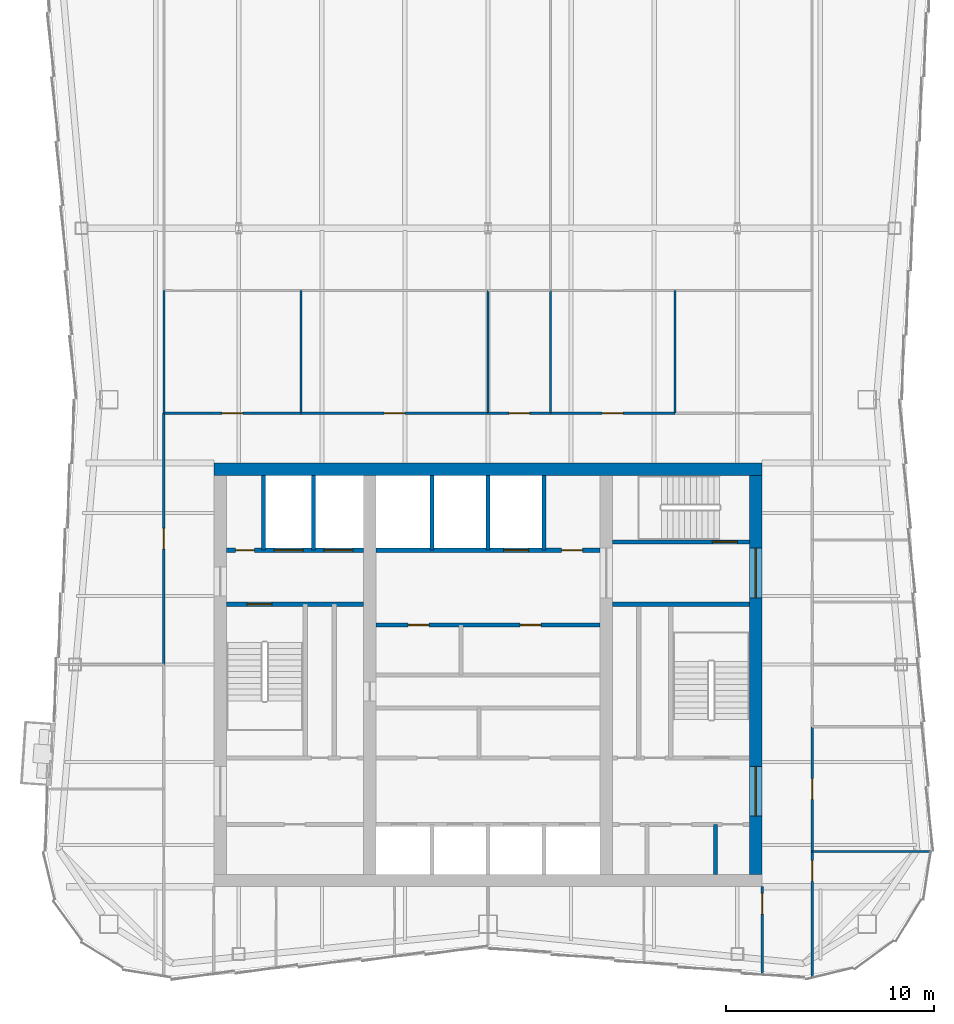
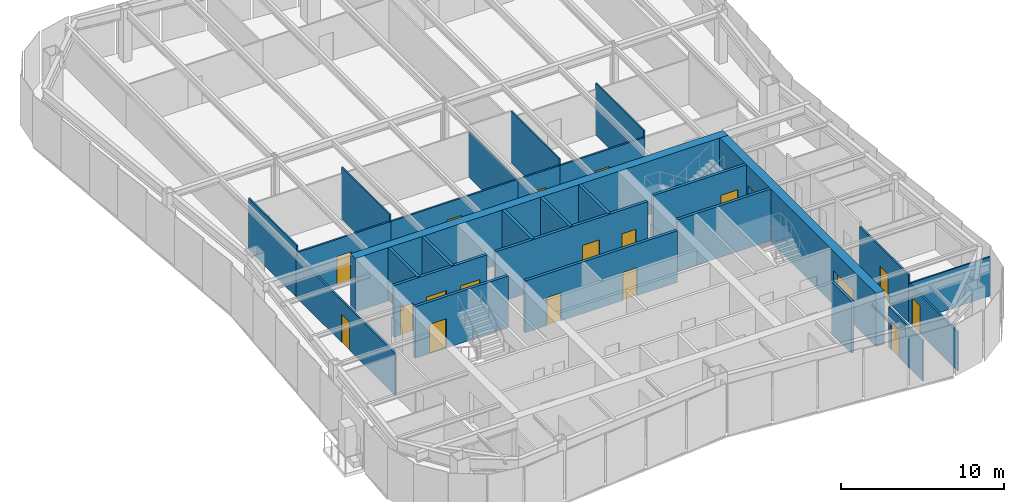
# One storey, part 7 of 10: 28 walls, 19 doors, 19 openings.
"""IFC4 building model written with IfcOpenShell, lengths in metres."""

from ifc_helpers import new_model, si_unit, direction, frame, frame_2d, origin, place, context, subcontext, project, spatial, rectangle, extrude, material, layer, layer_set, type_object, element, fill, save


model = new_model("IFC4")

# Units and contexts
model_context = context("Model", 3, precision=1e-05, world=origin(), true_north=direction((0.0, 1.0)))
body_context = subcontext(model_context, "Body", "Model", "MODEL_VIEW")
ifc_project = project(units=[si_unit("LENGTHUNIT", "METRE"), si_unit("AREAUNIT", "SQUARE_METRE"), si_unit("VOLUMEUNIT", "CUBIC_METRE"), si_unit("PLANEANGLEUNIT", "RADIAN"), si_unit("MASSUNIT", "GRAM", prefix="KILO")], contexts=[model_context])

# Site, building, storey
site_placement = place(None, origin())
site = spatial("IfcSite", under=ifc_project, at=site_placement, CompositionType="ELEMENT")
building_placement = place(site_placement, origin())
building = spatial("IfcBuilding", under=site, at=building_placement, Name="Verdant Reach Tower", CompositionType="ELEMENT")
storey_placement = place(building_placement, frame((0.0, 0.0, 326.0)))
storey = spatial("IfcBuildingStorey", under=building, at=storey_placement, Name="L75", CompositionType="ELEMENT", Elevation=326.0)

# Wall, openings, doors
ifc_material_1 = material(Name="Gypsum board on steel studs", Category="steel")
ifc_layer_1 = layer(ifc_material_1, 0.199951171875)
ifc_layer_set_1 = layer_set([ifc_layer_1], Name="CO-WALL-ROOM")
wall_type_1 = type_object("IfcWallType", Name="CO-WALL-ROOM", PredefinedType="PARTITIONING", material=ifc_layer_set_1)
wall_1_placement = place(storey_placement, frame((-5.39990234375, 30.39990234375, 0.0), z_axis=(0.0, 0.0, 1.0), x_axis=(1.0, 0.0, 0.0)))
wall_1 = element("IfcWall", 1, at=wall_1_placement, inside=storey, type_object=wall_type_1, Name="Core partition, L75", PredefinedType="PARTITIONING", context=body_context, shape_type="SweptSolid", body=[
    extrude(rectangle(XDim=10.7998046875, YDim=0.199951171875, at=frame_2d((5.39990234375, 0.0))), origin(), (0.0, 0.0, 1.0), 3.8701171875),
])
opening_1_placement = place(wall_1_placement, frame((1.552001953125, 0.0, 0.0)))
opening_1 = element("IfcOpeningElement", 2, at=opening_1_placement, cuts=wall_1, Name="Opening CD", PredefinedType="OPENING", context=body_context, shape_type="SweptSolid", body=[
    extrude(rectangle(XDim=1.0, YDim=2.10009765625, at=frame_2d((0.5, 1.050048828125))), frame((0.0, 0.10986328125, 0.0), z_axis=(0.0, -1.0, 0.0), x_axis=(1.0, 0.0, 0.0)), (0.0, 0.0, 1.0), 0.219970703125),
])
opening_2_placement = place(wall_1_placement, frame((6.951904296875, 0.0, 0.0)))
opening_2 = element("IfcOpeningElement", 3, at=opening_2_placement, cuts=wall_1, Name="Opening CD", PredefinedType="OPENING", context=body_context, shape_type="SweptSolid", body=[
    extrude(rectangle(XDim=1.0, YDim=2.10009765625, at=frame_2d((0.5, 1.050048828125))), frame((0.0, 0.10986328125, 0.0), z_axis=(0.0, -1.0, 0.0), x_axis=(1.0, 0.0, 0.0)), (0.0, 0.0, 1.0), 0.219970703125),
])
ifc_material_2 = material(Name="Timber", Category="wood")
door_type_1 = type_object("IfcDoorType", Name="CO-DOOR-ROOM", OperationType="NOTDEFINED", PredefinedType="DOOR", material=ifc_material_2)
door_1_placement = place(opening_1_placement, origin())
door_1 = element("IfcDoor", 4, at=door_1_placement, inside=storey, type_object=door_type_1, Name="Core room door, L75", OperationType="SINGLE_SWING_LEFT", OverallHeight=2.10009765625, OverallWidth=1.0, PredefinedType="DOOR", context=body_context, shape_type="SweptSolid", body=[
    extrude(rectangle(XDim=1.0, YDim=2.10009765625, at=frame_2d((0.5, 1.050048828125))), frame((0.0, 0.02490234375, 0.0), z_axis=(0.0, -1.0, 0.0), x_axis=(1.0, 0.0, 0.0)), (0.0, 0.0, 1.0), 0.050048828125),
])
fill(opening_1, door_1)
door_2_placement = place(opening_2_placement, origin())
door_2 = element("IfcDoor", 5, at=door_2_placement, inside=storey, type_object=door_type_1, Name="Core room door, L75", OperationType="SINGLE_SWING_RIGHT", OverallHeight=2.10009765625, OverallWidth=1.0, PredefinedType="DOOR", context=body_context, shape_type="SweptSolid", body=[
    extrude(rectangle(XDim=1.0, YDim=2.10009765625, at=frame_2d((0.5, 1.050048828125))), frame((0.0, 0.02490234375, 0.0), z_axis=(0.0, -1.0, 0.0), x_axis=(1.0, 0.0, 0.0)), (0.0, 0.0, 1.0), 0.050048828125),
])
fill(opening_2, door_2)

# Wall
wall_2_placement = place(storey_placement, frame((10.949951171875, 18.39990234375, 0.0), z_axis=(0.0, 0.0, 1.0), x_axis=(0.0, 1.0, 0.0)))
element("IfcWall", 6, at=wall_2_placement, inside=storey, type_object=wall_type_1, Name="Core partition, L75", PredefinedType="PARTITIONING", context=body_context, shape_type="SweptSolid", body=[
    extrude(rectangle(XDim=2.400146484375, YDim=0.199951171875, at=frame_2d((1.2001953125, 0.0))), origin(), (0.0, 0.0, 1.0), 3.8701171875),
])

# Wall, openings, doors
ifc_material_3 = material(Name="Concrete C40/50", Category="concrete")
ifc_layer_2 = layer(ifc_material_3, 0.199951171875)
ifc_layer_set_2 = layer_set([ifc_layer_2], Name="CO-WALL-SHAFT")
wall_type_2 = type_object("IfcWallType", Name="CO-WALL-SHAFT", PredefinedType="PARTITIONING", material=ifc_layer_set_2)
wall_3_placement = place(storey_placement, frame((-12.60009765625, 34.0, 0.0), z_axis=(0.0, 0.0, 1.0), x_axis=(1.0, 0.0, 0.0)))
wall_3 = element("IfcWall", 7, at=wall_3_placement, inside=storey, type_object=wall_type_2, Name="Lift shaft wall, L75", PredefinedType="PARTITIONING", context=body_context, shape_type="SweptSolid", body=[
    extrude(rectangle(XDim=6.60009765625, YDim=0.199951171875, at=frame_2d((3.300048828125, 0.0))), origin(), (0.0, 0.0, 1.0), 3.8701171875),
])
opening_3_placement = place(wall_3_placement, frame((4.699951171875, 0.0, 0.0)))
opening_3 = element("IfcOpeningElement", 8, at=opening_3_placement, cuts=wall_3, Name="Opening LD-F1", PredefinedType="OPENING", context=body_context, shape_type="SweptSolid", body=[
    extrude(rectangle(XDim=1.39990234375, YDim=2.199951171875, at=frame_2d((0.699951171875, 1.10009765625))), frame((0.0, 0.10986328125, 0.0), z_axis=(0.0, -1.0, 0.0), x_axis=(1.0, 0.0, 0.0)), (0.0, 0.0, 1.0), 0.219970703125),
])
opening_4_placement = place(wall_3_placement, frame((2.300048828125, 0.0, 0.0)))
opening_4 = element("IfcOpeningElement", 9, at=opening_4_placement, cuts=wall_3, Name="Opening LD-F2", PredefinedType="OPENING", context=body_context, shape_type="SweptSolid", body=[
    extrude(rectangle(XDim=1.39990234375, YDim=2.199951171875, at=frame_2d((0.699951171875, 1.10009765625))), frame((0.0, 0.10986328125, 0.0), z_axis=(0.0, -1.0, 0.0), x_axis=(1.0, 0.0, 0.0)), (0.0, 0.0, 1.0), 0.219970703125),
])
opening_5_placement = place(wall_3_placement, frame((0.449951171875, 0.0, 0.0)))
opening_5 = element("IfcOpeningElement", 10, at=opening_5_placement, cuts=wall_3, Name="Opening RD", PredefinedType="OPENING", context=body_context, shape_type="SweptSolid", body=[
    extrude(rectangle(XDim=0.89990234375, YDim=2.10009765625, at=frame_2d((0.449951171875, 1.050048828125))), frame((0.0, 0.10986328125, 0.0), z_axis=(0.0, -1.0, 0.0), x_axis=(1.0, 0.0, 0.0)), (0.0, 0.0, 1.0), 0.219970703125),
])
ifc_material_4 = material(Name="Stainless steel", Category="steel")
door_type_2 = type_object("IfcDoorType", Name="CO-DOOR-LANDING-FF", OperationType="SLIDING_TO_LEFT", PredefinedType="DOOR", material=ifc_material_4)
door_3_placement = place(opening_3_placement, origin())
door_3 = element("IfcDoor", 11, at=door_3_placement, inside=storey, type_object=door_type_2, Name="Landing door F1, L75", OperationType="SLIDING_TO_LEFT", OverallHeight=2.199951171875, OverallWidth=1.39990234375, PredefinedType="DOOR", context=body_context, shape_type="SweptSolid", body=[
    extrude(rectangle(XDim=1.39990234375, YDim=2.199951171875, at=frame_2d((0.699951171875, 1.10009765625))), frame((0.0, 0.02490234375, 0.0), z_axis=(0.0, -1.0, 0.0), x_axis=(1.0, 0.0, 0.0)), (0.0, 0.0, 1.0), 0.050048828125),
])
fill(opening_3, door_3)
door_4_placement = place(opening_4_placement, origin())
door_4 = element("IfcDoor", 12, at=door_4_placement, inside=storey, type_object=door_type_2, Name="Landing door F2, L75", OperationType="SLIDING_TO_LEFT", OverallHeight=2.199951171875, OverallWidth=1.39990234375, PredefinedType="DOOR", context=body_context, shape_type="SweptSolid", body=[
    extrude(rectangle(XDim=1.39990234375, YDim=2.199951171875, at=frame_2d((0.699951171875, 1.10009765625))), frame((0.0, 0.02490234375, 0.0), z_axis=(0.0, -1.0, 0.0), x_axis=(1.0, 0.0, 0.0)), (0.0, 0.0, 1.0), 0.050048828125),
])
fill(opening_4, door_4)
ifc_material_5 = material(Name="Steel", Category="steel")
door_type_3 = type_object("IfcDoorType", Name="CO-DOOR-RISER", OperationType="NOTDEFINED", PredefinedType="DOOR", material=ifc_material_5)
door_5_placement = place(opening_5_placement, origin())
door_5 = element("IfcDoor", 13, at=door_5_placement, inside=storey, type_object=door_type_3, Name="Core room door, L75", OperationType="SINGLE_SWING_RIGHT", OverallHeight=2.10009765625, OverallWidth=0.89990234375, PredefinedType="DOOR", context=body_context, shape_type="SweptSolid", body=[
    extrude(rectangle(XDim=0.89990234375, YDim=2.10009765625, at=frame_2d((0.449951171875, 1.050048828125))), frame((0.0, 0.02490234375, 0.0), z_axis=(0.0, -1.0, 0.0), x_axis=(1.0, 0.0, 0.0)), (0.0, 0.0, 1.0), 0.050048828125),
])
fill(opening_5, door_5)

wall_4_placement = place(storey_placement, frame((-5.39990234375, 34.0, 0.0), z_axis=(0.0, 0.0, 1.0), x_axis=(1.0, 0.0, 0.0)))
wall_4 = element("IfcWall", 14, at=wall_4_placement, inside=storey, type_object=wall_type_2, Name="Lift shaft wall, L75", PredefinedType="PARTITIONING", context=body_context, shape_type="SweptSolid", body=[
    extrude(rectangle(XDim=10.7998046875, YDim=0.199951171875, at=frame_2d((5.39990234375, 0.0))), origin(), (0.0, 0.0, 1.0), 3.8701171875),
])
opening_6_placement = place(wall_4_placement, frame((6.14990234375, 0.0, 0.0)))
opening_6 = element("IfcOpeningElement", 15, at=opening_6_placement, cuts=wall_4, Name="Opening LD-SL1", PredefinedType="OPENING", context=body_context, shape_type="SweptSolid", body=[
    extrude(rectangle(XDim=1.199951171875, YDim=2.199951171875, at=frame_2d((0.60009765625, 1.10009765625))), frame((0.0, 0.10986328125, 0.0), z_axis=(0.0, -1.0, 0.0), x_axis=(1.0, 0.0, 0.0)), (0.0, 0.0, 1.0), 0.219970703125),
])
opening_7_placement = place(wall_4_placement, frame((8.949951171875, 0.0, 0.0)))
opening_7 = element("IfcOpeningElement", 16, at=opening_7_placement, cuts=wall_4, Name="Opening CD", PredefinedType="OPENING", context=body_context, shape_type="SweptSolid", body=[
    extrude(rectangle(XDim=1.0, YDim=2.10009765625, at=frame_2d((0.5, 1.050048828125))), frame((0.0, 0.10986328125, 0.0), z_axis=(0.0, -1.0, 0.0), x_axis=(1.0, 0.0, 0.0)), (0.0, 0.0, 1.0), 0.219970703125),
])
door_type_4 = type_object("IfcDoorType", Name="CO-DOOR-LANDING", OperationType="SLIDING_TO_LEFT", PredefinedType="DOOR", material=ifc_material_4)
door_6_placement = place(opening_6_placement, origin())
door_6 = element("IfcDoor", 17, at=door_6_placement, inside=storey, type_object=door_type_4, Name="Landing door SL1, L75", OperationType="SLIDING_TO_LEFT", OverallHeight=2.199951171875, OverallWidth=1.199951171875, PredefinedType="DOOR", context=body_context, shape_type="SweptSolid", body=[
    extrude(rectangle(XDim=1.199951171875, YDim=2.199951171875, at=frame_2d((0.60009765625, 1.10009765625))), frame((0.0, 0.02490234375, 0.0), z_axis=(0.0, -1.0, 0.0), x_axis=(1.0, 0.0, 0.0)), (0.0, 0.0, 1.0), 0.050048828125),
])
fill(opening_6, door_6)
door_7_placement = place(opening_7_placement, origin())
door_7 = element("IfcDoor", 18, at=door_7_placement, inside=storey, type_object=door_type_1, Name="Core room door, L75", OperationType="SINGLE_SWING_LEFT", OverallHeight=2.10009765625, OverallWidth=1.0, PredefinedType="DOOR", context=body_context, shape_type="SweptSolid", body=[
    extrude(rectangle(XDim=1.0, YDim=2.10009765625, at=frame_2d((0.5, 1.050048828125))), frame((0.0, 0.02490234375, 0.0), z_axis=(0.0, -1.0, 0.0), x_axis=(1.0, 0.0, 0.0)), (0.0, 0.0, 1.0), 0.050048828125),
])
fill(opening_7, door_7)

# Walls
for number, where, z_axis, x_axis, name in (
    (19, (-10.800048828125, 34.0, 0.0), (0.0, 0.0, 1.0), (0.0, 1.0, 0.0), "Lift shaft wall, L75"),
    (20, (-8.39990234375, 34.0, 0.0), (0.0, 0.0, 1.0), (0.0, 1.0, 0.0), "Lift shaft wall, L75"),
    (21, (-2.699951171875, 34.0, 0.0), (0.0, 0.0, 1.0), (0.0, 1.0, 0.0), "Lift shaft wall, L75"),
    (22, (0.0, 34.0, 0.0), (0.0, 0.0, 1.0), (0.0, 1.0, 0.0), "Lift shaft wall, L75"),
    (23, (2.699951171875, 34.0, 0.0), (0.0, 0.0, 1.0), (0.0, 1.0, 0.0), "Lift shaft wall, L75"),
):
    element("IfcWall", number, at=place(storey_placement, frame(where, z_axis=z_axis, x_axis=x_axis)), inside=storey, type_object=wall_type_2, Name=name, PredefinedType="PARTITIONING", context=body_context, shape_type="SweptSolid", body=[
        extrude(rectangle(XDim=3.60009765625, YDim=0.199951171875, at=frame_2d((1.800048828125, 0.0))), origin(), (0.0, 0.0, 1.0), 3.8701171875),
    ])

# Wall, opening, door
ifc_layer_3 = layer(ifc_material_3, 0.199951171875)
ifc_layer_set_3 = layer_set([ifc_layer_3], Name="CO-WALL-STAIR")
wall_type_3 = type_object("IfcWallType", Name="CO-WALL-STAIR", PredefinedType="PARTITIONING", material=ifc_layer_set_3)
wall_5_placement = place(storey_placement, frame((-12.60009765625, 31.39990234375, 0.0), z_axis=(0.0, 0.0, 1.0), x_axis=(1.0, 0.0, 0.0)))
wall_5 = element("IfcWall", 24, at=wall_5_placement, inside=storey, type_object=wall_type_3, Name="Stair enclosure wall, L75", PredefinedType="PARTITIONING", context=body_context, shape_type="SweptSolid", body=[
    extrude(rectangle(XDim=6.60009765625, YDim=0.199951171875, at=frame_2d((3.300048828125, 0.0))), origin(), (0.0, 0.0, 1.0), 3.8701171875),
])
opening_8_placement = place(wall_5_placement, frame((1.0, 0.0, 0.0)))
opening_8 = element("IfcOpeningElement", 25, at=opening_8_placement, cuts=wall_5, Name="Opening SD", PredefinedType="OPENING", context=body_context, shape_type="SweptSolid", body=[
    extrude(rectangle(XDim=1.199951171875, YDim=2.199951171875, at=frame_2d((0.60009765625, 1.10009765625))), frame((0.0, 0.10986328125, 0.0), z_axis=(0.0, -1.0, 0.0), x_axis=(1.0, 0.0, 0.0)), (0.0, 0.0, 1.0), 0.219970703125),
])
door_type_5 = type_object("IfcDoorType", Name="CO-DOOR-STAIR", OperationType="NOTDEFINED", PredefinedType="DOOR", material=ifc_material_5)
door_8_placement = place(opening_8_placement, origin())
door_8 = element("IfcDoor", 26, at=door_8_placement, inside=storey, type_object=door_type_5, Name="Stair door, L75", OperationType="SINGLE_SWING_RIGHT", OverallHeight=2.199951171875, OverallWidth=1.199951171875, PredefinedType="DOOR", context=body_context, shape_type="SweptSolid", body=[
    extrude(rectangle(XDim=1.199951171875, YDim=2.199951171875, at=frame_2d((0.60009765625, 1.10009765625))), frame((0.0, 0.02490234375, 0.0), z_axis=(0.0, -1.0, 0.0), x_axis=(1.0, 0.0, 0.0)), (0.0, 0.0, 1.0), 0.050048828125),
])
fill(opening_8, door_8)

# Wall
wall_6_placement = place(storey_placement, frame((6.0, 31.39990234375, 0.0), z_axis=(0.0, 0.0, 1.0), x_axis=(1.0, 0.0, 0.0)))
element("IfcWall", 27, at=wall_6_placement, inside=storey, type_object=wall_type_3, Name="Stair enclosure wall, L75", PredefinedType="PARTITIONING", context=body_context, shape_type="SweptSolid", body=[
    extrude(rectangle(XDim=6.60009765625, YDim=0.199951171875, at=frame_2d((3.300048828125, 0.0))), origin(), (0.0, 0.0, 1.0), 3.8701171875),
])

# Wall, opening, door
wall_7_placement = place(storey_placement, frame((6.0, 34.39990234375, 0.0), z_axis=(0.0, 0.0, 1.0), x_axis=(1.0, 0.0, 0.0)))
wall_7 = element("IfcWall", 28, at=wall_7_placement, inside=storey, type_object=wall_type_3, Name="Stair enclosure wall, L75", PredefinedType="PARTITIONING", context=body_context, shape_type="SweptSolid", body=[
    extrude(rectangle(XDim=6.60009765625, YDim=0.199951171875, at=frame_2d((3.300048828125, 0.0))), origin(), (0.0, 0.0, 1.0), 3.8701171875),
])
opening_9_placement = place(wall_7_placement, frame((4.800048828125, 0.0, 0.0)))
opening_9 = element("IfcOpeningElement", 29, at=opening_9_placement, cuts=wall_7, Name="Opening SD", PredefinedType="OPENING", context=body_context, shape_type="SweptSolid", body=[
    extrude(rectangle(XDim=1.199951171875, YDim=2.199951171875, at=frame_2d((0.60009765625, 1.10009765625))), frame((0.0, 0.10986328125, 0.0), z_axis=(0.0, -1.0, 0.0), x_axis=(1.0, 0.0, 0.0)), (0.0, 0.0, 1.0), 0.219970703125),
])
door_9_placement = place(opening_9_placement, origin())
door_9 = element("IfcDoor", 30, at=door_9_placement, inside=storey, type_object=door_type_5, Name="Stair door, L75", OperationType="SINGLE_SWING_RIGHT", OverallHeight=2.199951171875, OverallWidth=1.199951171875, PredefinedType="DOOR", context=body_context, shape_type="SweptSolid", body=[
    extrude(rectangle(XDim=1.199951171875, YDim=2.199951171875, at=frame_2d((0.60009765625, 1.10009765625))), frame((0.0, 0.02490234375, 0.0), z_axis=(0.0, -1.0, 0.0), x_axis=(1.0, 0.0, 0.0)), (0.0, 0.0, 1.0), 0.050048828125),
])
fill(opening_9, door_9)

# Walls
ifc_layer_4 = layer(ifc_material_1, 0.10009765625)
ifc_layer_set_4 = layer_set([ifc_layer_4], Name="FL-W1 Partition 100")
wall_type_4 = type_object("IfcWallType", Name="FL-W1 Partition 100", PredefinedType="PARTITIONING", material=ifc_layer_set_4)
wall_8_placement = place(storey_placement, frame((-15.60009765625, 40.60009765625, 0.0), z_axis=(0.0, 0.0, 1.0), x_axis=(0.0, 1.0, 0.0)))
element("IfcWall", 31, at=wall_8_placement, inside=storey, type_object=wall_type_4, Name="Partition 75.19", PredefinedType="PARTITIONING", context=body_context, shape_type="SweptSolid", body=[
    extrude(rectangle(XDim=5.89990234375, YDim=0.10009765625, at=frame_2d((2.949951171875, 0.0))), origin(), (0.0, 0.0, 1.0), 3.8701171875),
])
wall_9_placement = place(storey_placement, frame((21.330078125, 19.5, 0.0), z_axis=(0.0, 0.0, 1.0), x_axis=(-1.0, 0.0, 0.0)))
element("IfcWall", 32, at=wall_9_placement, inside=storey, type_object=wall_type_4, Name="Partition 75.22", PredefinedType="PARTITIONING", context=body_context, shape_type="SweptSolid", body=[
    extrude(rectangle(XDim=5.72998046875, YDim=0.10009765625, at=frame_2d((2.864990234375, 0.0))), origin(), (0.0, 0.0, 1.0), 2.929931640625),
])
wall_10_placement = place(storey_placement, frame((-9.0, 40.60009765625, 0.0), z_axis=(0.0, 0.0, 1.0), x_axis=(0.0, 1.0, 0.0)))
element("IfcWall", 33, at=wall_10_placement, inside=storey, type_object=wall_type_4, Name="Partition 75.34", PredefinedType="PARTITIONING", context=body_context, shape_type="SweptSolid", body=[
    extrude(rectangle(XDim=5.89990234375, YDim=0.10009765625, at=frame_2d((2.949951171875, 0.0))), origin(), (0.0, 0.0, 1.0), 3.8701171875),
])
wall_11_placement = place(storey_placement, frame((0.0, 40.60009765625, 0.0), z_axis=(0.0, 0.0, 1.0), x_axis=(0.0, 1.0, 0.0)))
element("IfcWall", 34, at=wall_11_placement, inside=storey, type_object=wall_type_4, Name="Partition 75.36", PredefinedType="PARTITIONING", context=body_context, shape_type="SweptSolid", body=[
    extrude(rectangle(XDim=5.89990234375, YDim=0.10009765625, at=frame_2d((2.949951171875, 0.0))), origin(), (0.0, 0.0, 1.0), 3.389892578125),
])
for number, where, z_axis, x_axis, name in (
    (35, (3.0, 40.60009765625, 0.0), (0.0, 0.0, 1.0), (0.0, 1.0, 0.0), "Partition 75.39"),
    (36, (9.0, 40.60009765625, 0.0), (0.0, 0.0, 1.0), (0.0, 1.0, 0.0), "Partition 75.45"),
):
    element("IfcWall", number, at=place(storey_placement, frame(where, z_axis=z_axis, x_axis=x_axis)), inside=storey, type_object=wall_type_4, Name=name, PredefinedType="PARTITIONING", context=body_context, shape_type="SweptSolid", body=[
        extrude(rectangle(XDim=5.89990234375, YDim=0.10009765625, at=frame_2d((2.949951171875, 0.0))), origin(), (0.0, 0.0, 1.0), 3.8701171875),
    ])

# Wall, opening, door
ifc_material_6 = material(Name="Gypsum board on steel studs, fire rated", Category="steel")
ifc_layer_5 = layer(ifc_material_6, 0.125)
ifc_layer_set_5 = layer_set([ifc_layer_5], Name="FL-W2 Corridor wall 125")
wall_type_5 = type_object("IfcWallType", Name="FL-W2 Corridor wall 125", PredefinedType="PARTITIONING", material=ifc_layer_set_5)
wall_12_placement = place(storey_placement, frame((-15.60009765625, 28.5, 0.0), z_axis=(0.0, 0.0, 1.0), x_axis=(0.0, 1.0, 0.0)))
wall_12 = element("IfcWall", 37, at=wall_12_placement, inside=storey, type_object=wall_type_5, Name="Partition 75.03", PredefinedType="PARTITIONING", context=body_context, shape_type="SweptSolid", body=[
    extrude(rectangle(XDim=12.10400390625, YDim=0.125, at=frame_2d((6.052001953125, 0.0))), origin(), (0.0, 0.0, 1.0), 3.139892578125),
])
opening_10_placement = place(wall_12_placement, frame((5.552001953125, 0.0, 0.0)))
opening_10 = element("IfcOpeningElement", 38, at=opening_10_placement, cuts=wall_12, Name="Opening D2", PredefinedType="OPENING", context=body_context, shape_type="SweptSolid", body=[
    extrude(rectangle(XDim=1.0, YDim=2.10009765625, at=frame_2d((0.5, 1.050048828125))), frame((0.0, 0.072509765625, 0.0), z_axis=(0.0, -1.0, 0.0), x_axis=(1.0, 0.0, 0.0)), (0.0, 0.0, 1.0), 0.14501953125),
])
ifc_material_7 = material(Name="Timber door leaf, fire rated", Category="wood")
door_type_6 = type_object("IfcDoorType", Name="FL-D2 Entrance door 1000x2100 FD30", OperationType="NOTDEFINED", PredefinedType="DOOR", material=ifc_material_7)
door_10_placement = place(opening_10_placement, origin())
door_10 = element("IfcDoor", 39, at=door_10_placement, inside=storey, type_object=door_type_6, Name="Door 75-003", OperationType="SINGLE_SWING_LEFT", OverallHeight=2.10009765625, OverallWidth=1.0, PredefinedType="DOOR", context=body_context, shape_type="SweptSolid", body=[
    extrude(rectangle(XDim=1.0, YDim=2.10009765625, at=frame_2d((0.5, 1.050048828125))), frame((0.0, 0.02490234375, 0.0), z_axis=(0.0, -1.0, 0.0), x_axis=(1.0, 0.0, 0.0)), (0.0, 0.0, 1.0), 0.050048828125),
])
fill(opening_10, door_10)

wall_13_placement = place(storey_placement, frame((15.60009765625, 19.5, 0.0), z_axis=(0.0, 0.0, 1.0), x_axis=(0.0, -1.0, 0.0)))
wall_13 = element("IfcWall", 40, at=wall_13_placement, inside=storey, type_object=wall_type_5, Name="Partition 75.04", PredefinedType="PARTITIONING", context=body_context, shape_type="SweptSolid", body=[
    extrude(rectangle(XDim=6.010498046875, YDim=0.125, at=frame_2d((3.00537109375, 0.0))), origin(), (0.0, 0.0, 1.0), 2.929931640625),
])
opening_11_placement = place(wall_13_placement, frame((0.439697265625, 0.0, 0.0)))
opening_11 = element("IfcOpeningElement", 41, at=opening_11_placement, cuts=wall_13, Name="Opening D2", PredefinedType="OPENING", context=body_context, shape_type="SweptSolid", body=[
    extrude(rectangle(XDim=1.0, YDim=2.10009765625, at=frame_2d((0.5, 1.050048828125))), frame((0.0, 0.072509765625, 0.0), z_axis=(0.0, -1.0, 0.0), x_axis=(1.0, 0.0, 0.0)), (0.0, 0.0, 1.0), 0.14501953125),
])
door_11_placement = place(opening_11_placement, origin())
door_11 = element("IfcDoor", 42, at=door_11_placement, inside=storey, type_object=door_type_6, Name="Door 75-004", OperationType="SINGLE_SWING_LEFT", OverallHeight=2.10009765625, OverallWidth=1.0, PredefinedType="DOOR", context=body_context, shape_type="SweptSolid", body=[
    extrude(rectangle(XDim=1.0, YDim=2.10009765625, at=frame_2d((0.5, 1.050048828125))), frame((0.0, 0.02490234375, 0.0), z_axis=(0.0, -1.0, 0.0), x_axis=(1.0, 0.0, 0.0)), (0.0, 0.0, 1.0), 0.050048828125),
])
fill(opening_11, door_11)

wall_14_placement = place(storey_placement, frame((15.60009765625, 25.5, 0.0), z_axis=(0.0, 0.0, 1.0), x_axis=(0.0, -1.0, 0.0)))
wall_14 = element("IfcWall", 43, at=wall_14_placement, inside=storey, type_object=wall_type_5, Name="Partition 75.05", PredefinedType="PARTITIONING", context=body_context, shape_type="SweptSolid", body=[
    extrude(rectangle(XDim=6.0, YDim=0.125, at=frame_2d((3.0, 0.0))), origin(), (0.0, 0.0, 1.0), 3.5400390625),
])
opening_12_placement = place(wall_14_placement, frame((2.5, 0.0, 0.0)))
opening_12 = element("IfcOpeningElement", 44, at=opening_12_placement, cuts=wall_14, Name="Opening D2", PredefinedType="OPENING", context=body_context, shape_type="SweptSolid", body=[
    extrude(rectangle(XDim=1.0, YDim=2.10009765625, at=frame_2d((0.5, 1.050048828125))), frame((0.0, 0.072509765625, 0.0), z_axis=(0.0, -1.0, 0.0), x_axis=(1.0, 0.0, 0.0)), (0.0, 0.0, 1.0), 0.14501953125),
])
door_12_placement = place(opening_12_placement, origin())
door_12 = element("IfcDoor", 45, at=door_12_placement, inside=storey, type_object=door_type_6, Name="Door 75-005", OperationType="SINGLE_SWING_LEFT", OverallHeight=2.10009765625, OverallWidth=1.0, PredefinedType="DOOR", context=body_context, shape_type="SweptSolid", body=[
    extrude(rectangle(XDim=1.0, YDim=2.10009765625, at=frame_2d((0.5, 1.050048828125))), frame((0.0, 0.02490234375, 0.0), z_axis=(0.0, -1.0, 0.0), x_axis=(1.0, 0.0, 0.0)), (0.0, 0.0, 1.0), 0.050048828125),
])
fill(opening_12, door_12)

wall_15_placement = place(storey_placement, frame((13.199951171875, 13.62158203125, 0.0), z_axis=(0.0, 0.0, 1.0), x_axis=(0.0, 1.0, 0.0)))
wall_15 = element("IfcWall", 46, at=wall_15_placement, inside=storey, type_object=wall_type_5, Name="Partition 75.11", PredefinedType="PARTITIONING", context=body_context, shape_type="SweptSolid", body=[
    extrude(rectangle(XDim=4.178466796875, YDim=0.125, at=frame_2d((2.08935546875, 0.0))), origin(), (0.0, 0.0, 1.0), 3.0400390625),
])
opening_13_placement = place(wall_15_placement, frame((2.854248046875, 0.0, 0.0)))
opening_13 = element("IfcOpeningElement", 47, at=opening_13_placement, cuts=wall_15, Name="Opening D2", PredefinedType="OPENING", context=body_context, shape_type="SweptSolid", body=[
    extrude(rectangle(XDim=1.0, YDim=2.10009765625, at=frame_2d((0.5, 1.050048828125))), frame((0.0, 0.072509765625, 0.0), z_axis=(0.0, -1.0, 0.0), x_axis=(1.0, 0.0, 0.0)), (0.0, 0.0, 1.0), 0.14501953125),
])
door_13_placement = place(opening_13_placement, origin())
door_13 = element("IfcDoor", 48, at=door_13_placement, inside=storey, type_object=door_type_6, Name="Door 75-011", OperationType="SINGLE_SWING_RIGHT", OverallHeight=2.10009765625, OverallWidth=1.0, PredefinedType="DOOR", context=body_context, shape_type="SweptSolid", body=[
    extrude(rectangle(XDim=1.0, YDim=2.10009765625, at=frame_2d((0.5, 1.050048828125))), frame((0.0, 0.02490234375, 0.0), z_axis=(0.0, -1.0, 0.0), x_axis=(1.0, 0.0, 0.0)), (0.0, 0.0, 1.0), 0.050048828125),
])
fill(opening_13, door_13)

wall_16_placement = place(storey_placement, frame((-15.60009765625, 40.60009765625, 0.0), z_axis=(0.0, 0.0, 1.0), x_axis=(1.0, 0.0, 0.0)))
wall_16 = element("IfcWall", 49, at=wall_16_placement, inside=storey, type_object=wall_type_5, Name="Partition 75.12", PredefinedType="PARTITIONING", context=body_context, shape_type="SweptSolid", body=[
    extrude(rectangle(XDim=6.60009765625, YDim=0.125, at=frame_2d((3.300048828125, 0.0))), origin(), (0.0, 0.0, 1.0), 3.389892578125),
])
opening_14_placement = place(wall_16_placement, frame((2.800048828125, 0.0, 0.0)))
opening_14 = element("IfcOpeningElement", 50, at=opening_14_placement, cuts=wall_16, Name="Opening D2", PredefinedType="OPENING", context=body_context, shape_type="SweptSolid", body=[
    extrude(rectangle(XDim=1.0, YDim=2.10009765625, at=frame_2d((0.5, 1.050048828125))), frame((0.0, 0.072509765625, 0.0), z_axis=(0.0, -1.0, 0.0), x_axis=(1.0, 0.0, 0.0)), (0.0, 0.0, 1.0), 0.14501953125),
])
door_14_placement = place(opening_14_placement, origin())
door_14 = element("IfcDoor", 51, at=door_14_placement, inside=storey, type_object=door_type_6, Name="Door 75-012", OperationType="SINGLE_SWING_RIGHT", OverallHeight=2.10009765625, OverallWidth=1.0, PredefinedType="DOOR", context=body_context, shape_type="SweptSolid", body=[
    extrude(rectangle(XDim=1.0, YDim=2.10009765625, at=frame_2d((0.5, 1.050048828125))), frame((0.0, 0.02490234375, 0.0), z_axis=(0.0, -1.0, 0.0), x_axis=(1.0, 0.0, 0.0)), (0.0, 0.0, 1.0), 0.050048828125),
])
fill(opening_14, door_14)

wall_17_placement = place(storey_placement, frame((-9.0, 40.60009765625, 0.0), z_axis=(0.0, 0.0, 1.0), x_axis=(1.0, 0.0, 0.0)))
wall_17 = element("IfcWall", 52, at=wall_17_placement, inside=storey, type_object=wall_type_5, Name="Partition 75.13", PredefinedType="PARTITIONING", context=body_context, shape_type="SweptSolid", body=[
    extrude(rectangle(XDim=9.0, YDim=0.125, at=frame_2d((4.5, 0.0))), origin(), (0.0, 0.0, 1.0), 3.389892578125),
])
opening_15_placement = place(wall_17_placement, frame((4.0, 0.0, 0.0)))
opening_15 = element("IfcOpeningElement", 53, at=opening_15_placement, cuts=wall_17, Name="Opening D2", PredefinedType="OPENING", context=body_context, shape_type="SweptSolid", body=[
    extrude(rectangle(XDim=1.0, YDim=2.10009765625, at=frame_2d((0.5, 1.050048828125))), frame((0.0, 0.072509765625, 0.0), z_axis=(0.0, -1.0, 0.0), x_axis=(1.0, 0.0, 0.0)), (0.0, 0.0, 1.0), 0.14501953125),
])
door_15_placement = place(opening_15_placement, origin())
door_15 = element("IfcDoor", 54, at=door_15_placement, inside=storey, type_object=door_type_6, Name="Door 75-013", OperationType="SINGLE_SWING_LEFT", OverallHeight=2.10009765625, OverallWidth=1.0, PredefinedType="DOOR", context=body_context, shape_type="SweptSolid", body=[
    extrude(rectangle(XDim=1.0, YDim=2.10009765625, at=frame_2d((0.5, 1.050048828125))), frame((0.0, 0.02490234375, 0.0), z_axis=(0.0, -1.0, 0.0), x_axis=(1.0, 0.0, 0.0)), (0.0, 0.0, 1.0), 0.050048828125),
])
fill(opening_15, door_15)

wall_18_placement = place(storey_placement, frame((0.0, 40.60009765625, 0.0), z_axis=(0.0, 0.0, 1.0), x_axis=(1.0, 0.0, 0.0)))
wall_18 = element("IfcWall", 55, at=wall_18_placement, inside=storey, type_object=wall_type_5, Name="Partition 75.14", PredefinedType="PARTITIONING", context=body_context, shape_type="SweptSolid", body=[
    extrude(rectangle(XDim=3.0, YDim=0.125, at=frame_2d((1.5, 0.0))), origin(), (0.0, 0.0, 1.0), 3.389892578125),
])
opening_16_placement = place(wall_18_placement, frame((1.0, 0.0, 0.0)))
opening_16 = element("IfcOpeningElement", 56, at=opening_16_placement, cuts=wall_18, Name="Opening D2", PredefinedType="OPENING", context=body_context, shape_type="SweptSolid", body=[
    extrude(rectangle(XDim=1.0, YDim=2.10009765625, at=frame_2d((0.5, 1.050048828125))), frame((0.0, 0.072509765625, 0.0), z_axis=(0.0, -1.0, 0.0), x_axis=(1.0, 0.0, 0.0)), (0.0, 0.0, 1.0), 0.14501953125),
])
door_16_placement = place(opening_16_placement, origin())
door_16 = element("IfcDoor", 57, at=door_16_placement, inside=storey, type_object=door_type_6, Name="Door 75-014", OperationType="SINGLE_SWING_RIGHT", OverallHeight=2.10009765625, OverallWidth=1.0, PredefinedType="DOOR", context=body_context, shape_type="SweptSolid", body=[
    extrude(rectangle(XDim=1.0, YDim=2.10009765625, at=frame_2d((0.5, 1.050048828125))), frame((0.0, 0.02490234375, 0.0), z_axis=(0.0, -1.0, 0.0), x_axis=(1.0, 0.0, 0.0)), (0.0, 0.0, 1.0), 0.050048828125),
])
fill(opening_16, door_16)

wall_19_placement = place(storey_placement, frame((3.0, 40.60009765625, 0.0), z_axis=(0.0, 0.0, 1.0), x_axis=(1.0, 0.0, 0.0)))
wall_19 = element("IfcWall", 58, at=wall_19_placement, inside=storey, type_object=wall_type_5, Name="Partition 75.15", PredefinedType="PARTITIONING", context=body_context, shape_type="SweptSolid", body=[
    extrude(rectangle(XDim=6.0, YDim=0.125, at=frame_2d((3.0, 0.0))), origin(), (0.0, 0.0, 1.0), 3.389892578125),
])
opening_17_placement = place(wall_19_placement, frame((2.5, 0.0, 0.0)))
opening_17 = element("IfcOpeningElement", 59, at=opening_17_placement, cuts=wall_19, Name="Opening D2", PredefinedType="OPENING", context=body_context, shape_type="SweptSolid", body=[
    extrude(rectangle(XDim=1.0, YDim=2.10009765625, at=frame_2d((0.5, 1.050048828125))), frame((0.0, 0.072509765625, 0.0), z_axis=(0.0, -1.0, 0.0), x_axis=(1.0, 0.0, 0.0)), (0.0, 0.0, 1.0), 0.14501953125),
])
door_17_placement = place(opening_17_placement, origin())
door_17 = element("IfcDoor", 60, at=door_17_placement, inside=storey, type_object=door_type_6, Name="Door 75-015", OperationType="SINGLE_SWING_LEFT", OverallHeight=2.10009765625, OverallWidth=1.0, PredefinedType="DOOR", context=body_context, shape_type="SweptSolid", body=[
    extrude(rectangle(XDim=1.0, YDim=2.10009765625, at=frame_2d((0.5, 1.050048828125))), frame((0.0, 0.02490234375, 0.0), z_axis=(0.0, -1.0, 0.0), x_axis=(1.0, 0.0, 0.0)), (0.0, 0.0, 1.0), 0.050048828125),
])
fill(opening_17, door_17)

# Wall
ifc_material_8 = material(Name="Concrete C70/85", Category="concrete")
ifc_layer_6 = layer(ifc_material_8, 0.60009765625)
ifc_layer_set_6 = layer_set([ifc_layer_6], Name="ST-CORE-WALL-600")
wall_type_6 = type_object("IfcWallType", Name="ST-CORE-WALL-600", PredefinedType="SHEAR", material=ifc_layer_set_6)
wall_20_placement = place(storey_placement, frame((-13.199951171875, 37.89990234375, -0.1298828125), z_axis=(0.0, 0.0, 1.0), x_axis=(1.0, 0.0, 0.0)))
element("IfcWall", 61, at=wall_20_placement, inside=storey, type_object=wall_type_6, Name="Core wall N, L75", PredefinedType="SHEAR", context=body_context, shape_type="SweptSolid", body=[
    extrude(rectangle(XDim=26.39990234375, YDim=0.60009765625, at=frame_2d((13.199951171875, 0.0))), origin(), (0.0, 0.0, 1.0), 4.0),
])

# Wall, openings, doors
wall_21_placement = place(storey_placement, frame((12.89990234375, 18.39990234375, -0.1298828125), z_axis=(0.0, 0.0, 1.0), x_axis=(0.0, 1.0, 0.0)))
wall_21 = element("IfcWall", 62, at=wall_21_placement, inside=storey, type_object=wall_type_6, Name="Core wall E, L75", PredefinedType="SHEAR", context=body_context, shape_type="SweptSolid", body=[
    extrude(rectangle(XDim=19.2001953125, YDim=0.60009765625, at=frame_2d((9.60009765625, 0.0))), origin(), (0.0, 0.0, 1.0), 4.0),
])
opening_18_placement = place(wall_21_placement, frame((2.800048828125, 0.0, 0.1298828125)))
opening_18 = element("IfcOpeningElement", 63, at=opening_18_placement, cuts=wall_21, Name="Opening LB", PredefinedType="OPENING", context=body_context, shape_type="SweptSolid", body=[
    extrude(rectangle(XDim=2.39990234375, YDim=2.39990234375, at=frame_2d((1.199951171875, 1.199951171875))), frame((0.0, 0.31005859375, 0.0), z_axis=(0.0, -1.0, 0.0), x_axis=(1.0, 0.0, 0.0)), (0.0, 0.0, 1.0), 0.6201171875),
])
opening_19_placement = place(wall_21_placement, frame((13.300048828125, 0.0, 0.1298828125)))
opening_19 = element("IfcOpeningElement", 64, at=opening_19_placement, cuts=wall_21, Name="Opening LB", PredefinedType="OPENING", context=body_context, shape_type="SweptSolid", body=[
    extrude(rectangle(XDim=2.39990234375, YDim=2.39990234375, at=frame_2d((1.199951171875, 1.199951171875))), frame((0.0, 0.31005859375, 0.0), z_axis=(0.0, -1.0, 0.0), x_axis=(1.0, 0.0, 0.0)), (0.0, 0.0, 1.0), 0.6201171875),
])
ifc_material_9 = material(Name="Glass and steel", Category="steel")
door_type_7 = type_object("IfcDoorType", Name="CO-DOOR-LOBBY", OperationType="DOUBLE_DOOR_SINGLE_SWING", PredefinedType="DOOR", material=ifc_material_9)
door_18_placement = place(opening_18_placement, origin())
door_18 = element("IfcDoor", 65, at=door_18_placement, inside=storey, type_object=door_type_7, Name="Core entrance door, L75", OperationType="DOUBLE_DOOR_SINGLE_SWING", OverallHeight=2.39990234375, OverallWidth=2.39990234375, PredefinedType="DOOR", context=body_context, shape_type="SweptSolid", body=[
    extrude(rectangle(XDim=2.39990234375, YDim=2.39990234375, at=frame_2d((1.199951171875, 1.199951171875))), frame((0.0, 0.02490234375, 0.0), z_axis=(0.0, -1.0, 0.0), x_axis=(1.0, 0.0, 0.0)), (0.0, 0.0, 1.0), 0.050048828125),
])
fill(opening_18, door_18)
door_19_placement = place(opening_19_placement, origin())
door_19 = element("IfcDoor", 66, at=door_19_placement, inside=storey, type_object=door_type_7, Name="Core entrance door, L75", OperationType="DOUBLE_DOOR_SINGLE_SWING", OverallHeight=2.39990234375, OverallWidth=2.39990234375, PredefinedType="DOOR", context=body_context, shape_type="SweptSolid", body=[
    extrude(rectangle(XDim=2.39990234375, YDim=2.39990234375, at=frame_2d((1.199951171875, 1.199951171875))), frame((0.0, 0.02490234375, 0.0), z_axis=(0.0, -1.0, 0.0), x_axis=(1.0, 0.0, 0.0)), (0.0, 0.0, 1.0), 0.050048828125),
])
fill(opening_19, door_19)

save(model, "model.ifc")
